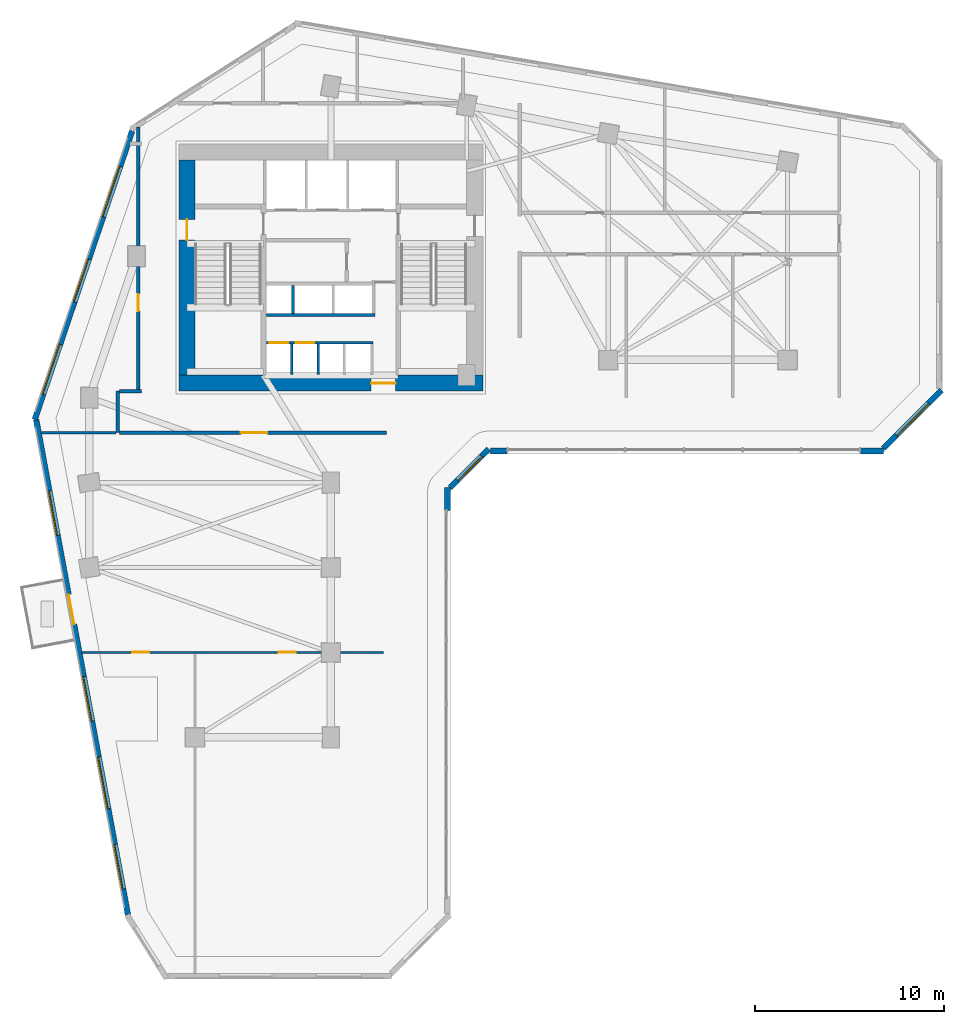
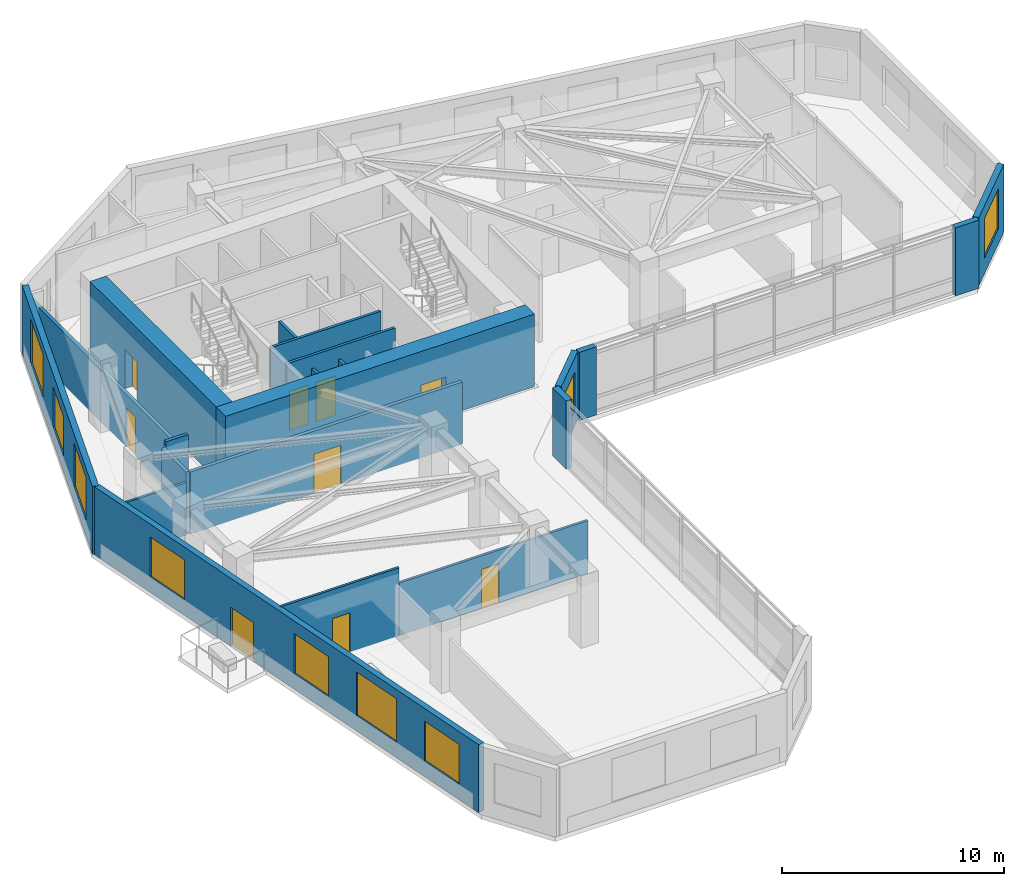
# One storey, part 5 of 9: 21 walls, 9 doors, 9 windows, 18 openings.
"""IFC4 building model written with IfcOpenShell, lengths in metres."""

from ifc_helpers import new_model, si_unit, direction, frame, frame_2d, origin, place, context, subcontext, project, spatial, rectangle, extrude, source, transform, mapped, material, layer, layer_set, type_object, element, fill, save


model = new_model("IFC4")

# Units and contexts
model_context = context("Model", 3, precision=1e-05, world=origin(), true_north=direction((0.0, 1.0)))
body_context = subcontext(model_context, "Body", "Model", "MODEL_VIEW")
ifc_project = project(units=[si_unit("LENGTHUNIT", "METRE"), si_unit("AREAUNIT", "SQUARE_METRE"), si_unit("VOLUMEUNIT", "CUBIC_METRE"), si_unit("PLANEANGLEUNIT", "RADIAN"), si_unit("MASSUNIT", "GRAM", prefix="KILO")], contexts=[model_context])

# Site, building, storey
site_placement = place(None, origin())
site = spatial("IfcSite", under=ifc_project, at=site_placement, CompositionType="ELEMENT")
building_placement = place(site_placement, origin())
building = spatial("IfcBuilding", under=site, at=building_placement, Name="Calvemar Wedge Station Tower", CompositionType="ELEMENT")
storey_placement = place(building_placement, frame((0.0, 0.0, 67.0)))
storey = spatial("IfcBuildingStorey", under=building, at=storey_placement, Name="L16", CompositionType="ELEMENT", Elevation=67.0)

# Wall, opening, door
ifc_material_1 = material(Name="Concrete C80", Category="concrete")
ifc_layer_1 = layer(ifc_material_1, 0.85009765625)
ifc_layer_set_1 = layer_set([ifc_layer_1], Name="Concrete C80")
wall_type_1 = type_object("IfcWallType", Name="SW-CORE-850", PredefinedType="SHEAR", material=ifc_layer_set_1)
wall_1_placement = place(storey_placement, frame((15.75, 33.77490234375, 0.0), z_axis=(0.0, 0.0, 1.0), x_axis=(1.0, 0.0, 0.0)))
wall_1 = element("IfcWall", 1, at=wall_1_placement, inside=storey, type_object=wall_type_1, Name="Storey L16 Core Shear Wall S", PredefinedType="SHEAR", context=body_context, shape_type="SweptSolid", body=[
    extrude(rectangle(XDim=16.10009765625, YDim=0.85009765625, at=frame_2d((8.050048828125, 0.0))), origin(), (0.0, 0.0, 1.0), 4.0),
])
shared_shape_1 = source(origin(), body_context, "Body", "SweptSolid", [
    extrude(rectangle(XDim=1.300048828125, YDim=2.14990234375, at=frame_2d((0.64990234375, 1.074951171875))), frame((0.0, 0.43505859375, 0.0), z_axis=(0.0, -1.0, 0.0), x_axis=(1.0, 0.0, 0.0)), (0.0, 0.0, 1.0), 0.8701171875),
])
opening_1_placement = place(wall_1_placement, frame((10.179931640625, 0.0, 0.0)))
opening_1 = element("IfcOpeningElement", 2, at=opening_1_placement, cuts=wall_1, Name="Opening DD-130", PredefinedType="OPENING", context=body_context, shape_type="MappedRepresentation", body=[
    mapped(shared_shape_1, transform((0.0, 0.0, 0.0), scale=1.0)),
])
ifc_material_2 = material(Name="Double-leaf lift lobby fire door EI 60")
door_type_1 = type_object("IfcDoorType", Name="DR-DBL-1300", OperationType="DOUBLE_DOOR_SINGLE_SWING", PredefinedType="DOOR", material=ifc_material_2)
shared_shape_2 = source(origin(), body_context, "Body", "SweptSolid", [
    extrude(rectangle(XDim=1.300048828125, YDim=2.14990234375, at=frame_2d((0.64990234375, 1.074951171875))), frame((0.0, 0.02490234375, 0.0), z_axis=(0.0, -1.0, 0.0), x_axis=(1.0, 0.0, 0.0)), (0.0, 0.0, 1.0), 0.050048828125),
])
door_1_placement = place(opening_1_placement, origin())
door_1 = element("IfcDoor", 3, at=door_1_placement, inside=storey, type_object=door_type_1, Name="L16 Passenger Lift Lobby Door", OperationType="DOUBLE_DOOR_SINGLE_SWING", OverallHeight=2.14990234375, OverallWidth=1.300048828125, PredefinedType="DOOR", context=body_context, shape_type="MappedRepresentation", body=[
    mapped(shared_shape_2, transform((0.0, 0.0, 0.0), scale=1.0)),
])
fill(opening_1, door_1)

wall_2_placement = place(storey_placement, frame((16.175048828125, 34.199951171875, 0.0), z_axis=(0.0, 0.0, 1.0), x_axis=(0.0, 1.0, 0.0)))
wall_2 = element("IfcWall", 4, at=wall_2_placement, inside=storey, type_object=wall_type_1, Name="Storey L16 Core Shear Wall W", PredefinedType="SHEAR", context=body_context, shape_type="SweptSolid", body=[
    extrude(rectangle(XDim=11.400146484375, YDim=0.85009765625, at=frame_2d((5.7001953125, 0.0))), origin(), (0.0, 0.0, 1.0), 4.0),
])
shared_shape_3 = source(origin(), body_context, "Body", "SweptSolid", [
    extrude(rectangle(XDim=1.10009765625, YDim=2.14990234375, at=frame_2d((0.550048828125, 1.074951171875))), frame((0.0, 0.43505859375, 0.0), z_axis=(0.0, -1.0, 0.0), x_axis=(1.0, 0.0, 0.0)), (0.0, 0.0, 1.0), 0.8701171875),
])
opening_2_placement = place(wall_2_placement, frame((7.14990234375, 0.0, 0.0)))
opening_2 = element("IfcOpeningElement", 5, at=opening_2_placement, cuts=wall_2, Name="Opening FD-90", PredefinedType="OPENING", context=body_context, shape_type="MappedRepresentation", body=[
    mapped(shared_shape_3, transform((0.0, 0.0, 0.0), scale=1.0)),
])
ifc_material_3 = material(Name="Galvanized fire-rated steel door leaf P-90", Category="steel")
door_type_2 = type_object("IfcDoorType", Name="DR-FD90-1100", OperationType="NOTDEFINED", PredefinedType="DOOR", material=ifc_material_3)
shared_shape_4 = source(origin(), body_context, "Body", "SweptSolid", [
    extrude(rectangle(XDim=1.10009765625, YDim=2.14990234375, at=frame_2d((0.550048828125, 1.074951171875))), frame((0.0, 0.02490234375, 0.0), z_axis=(0.0, -1.0, 0.0), x_axis=(1.0, 0.0, 0.0)), (0.0, 0.0, 1.0), 0.050048828125),
])
door_2_placement = place(opening_2_placement, origin())
door_2 = element("IfcDoor", 6, at=door_2_placement, inside=storey, type_object=door_type_2, Name="L16 West Corridor to Exit Stair ST-C1 Door", OperationType="SINGLE_SWING_LEFT", OverallHeight=2.14990234375, OverallWidth=1.10009765625, PredefinedType="DOOR", context=body_context, shape_type="MappedRepresentation", body=[
    mapped(shared_shape_4, transform((0.0, 0.0, 0.0), scale=1.0)),
])
fill(opening_2, door_2)

# Walls
ifc_material_4 = material(Name="Double-stud fire-rated corridor partition")
ifc_layer_2 = layer(ifc_material_4, 0.179931640625)
ifc_layer_set_2 = layer_set([ifc_layer_2], Name="Double-stud fire-rated corridor partition")
wall_type_2 = type_object("IfcWallType", Name="W-CORR-180", PredefinedType="PARTITIONING", material=ifc_layer_set_2)
wall_3_placement = place(storey_placement, frame((12.5, 31.14990234375, 0.0), z_axis=(0.0, 0.0, 1.0), x_axis=(0.0, 1.0, 0.0)))
element("IfcWall", 7, at=wall_3_placement, inside=storey, type_object=wall_type_2, Name="Storey L16 Interior Partition WL-L16-004", PredefinedType="PARTITIONING", context=body_context, shape_type="SweptSolid", body=[
    extrude(rectangle(XDim=2.2001953125, YDim=0.179931640625, at=frame_2d((1.10009765625, 0.0))), origin(), (0.0, 0.0, 1.0), 3.4189453125),
])
wall_4_placement = place(storey_placement, frame((12.593994140625, 33.35009765625, 0.0), z_axis=(0.0, 0.0, 1.0), x_axis=(1.0, 0.0, 0.0)))
element("IfcWall", 8, at=wall_4_placement, inside=storey, type_object=wall_type_2, Name="Storey L16 Interior Partition WL-L16-005", PredefinedType="PARTITIONING", context=body_context, shape_type="SweptSolid", body=[
    extrude(rectangle(XDim=1.166015625, YDim=0.179931640625, at=frame_2d((0.5830078125, 0.0))), origin(), (0.0, 0.0, 1.0), 3.75),
])

# Wall, opening, door
wall_5_placement = place(storey_placement, frame((26.760009765625, 31.14990234375, 0.0), z_axis=(0.0, 0.0, 1.0), x_axis=(-1.0, 0.0, 0.0)))
wall_5 = element("IfcWall", 9, at=wall_5_placement, inside=storey, type_object=wall_type_2, Name="Storey L16 Interior Partition WL-L16-006", PredefinedType="PARTITIONING", context=body_context, shape_type="SweptSolid", body=[
    extrude(rectangle(XDim=14.166015625, YDim=0.179931640625, at=frame_2d((7.0830078125, 0.0))), origin(), (0.0, 0.0, 1.0), 3.4189453125),
])
shared_shape_5 = source(origin(), body_context, "Body", "SweptSolid", [
    extrude(rectangle(XDim=1.39990234375, YDim=2.14990234375, at=frame_2d((0.699951171875, 1.074951171875))), frame((0.0, 0.10009765625, 0.0), z_axis=(0.0, -1.0, 0.0), x_axis=(1.0, 0.0, 0.0)), (0.0, 0.0, 1.0), 0.199951171875),
])
opening_3_placement = place(wall_5_placement, frame((6.322509765625, 0.0, 0.0)))
opening_3 = element("IfcOpeningElement", 10, at=opening_3_placement, cuts=wall_5, Name="Opening DD-140", PredefinedType="OPENING", context=body_context, shape_type="MappedRepresentation", body=[
    mapped(shared_shape_5, transform((0.0, 0.0, 0.0), scale=1.0)),
])
ifc_material_5 = material(Name="Double-leaf corridor acoustic fire door EI 60")
door_type_3 = type_object("IfcDoorType", Name="DR-DBL-1400", OperationType="DOUBLE_DOOR_SINGLE_SWING", PredefinedType="DOOR", material=ifc_material_5)
shared_shape_6 = source(origin(), body_context, "Body", "SweptSolid", [
    extrude(rectangle(XDim=1.39990234375, YDim=2.14990234375, at=frame_2d((0.699951171875, 1.074951171875))), frame((0.0, 0.02490234375, 0.0), z_axis=(0.0, -1.0, 0.0), x_axis=(1.0, 0.0, 0.0)), (0.0, 0.0, 1.0), 0.050048828125),
])
door_3_placement = place(opening_3_placement, origin())
door_3 = element("IfcDoor", 11, at=door_3_placement, inside=storey, type_object=door_type_3, Name="L16 Co-Working Studio Door", OperationType="SINGLE_SWING_LEFT", OverallHeight=2.14990234375, OverallWidth=1.39990234375, PredefinedType="DOOR", context=body_context, shape_type="MappedRepresentation", body=[
    mapped(shared_shape_6, transform((0.0, 0.0, 0.0), scale=1.0)),
])
fill(opening_3, door_3)

wall_6_placement = place(storey_placement, frame((13.60009765625, 33.444091796875, 0.0), z_axis=(0.0, 0.0, 1.0), x_axis=(0.0, 1.0, 0.0)))
wall_6 = element("IfcWall", 12, at=wall_6_placement, inside=storey, type_object=wall_type_2, Name="Storey L16 Interior Partition WL-L16-007", PredefinedType="PARTITIONING", context=body_context, shape_type="SweptSolid", body=[
    extrude(rectangle(XDim=13.896240234375, YDim=0.179931640625, at=frame_2d((6.9482421875, 0.0))), origin(), (0.0, 0.0, 1.0), 2.89208984375),
])
shared_shape_7 = source(origin(), body_context, "Body", "SweptSolid", [
    extrude(rectangle(XDim=0.89990234375, YDim=2.14990234375, at=frame_2d((0.449951171875, 1.074951171875))), frame((0.0, 0.10009765625, 0.0), z_axis=(0.0, -1.0, 0.0), x_axis=(1.0, 0.0, 0.0)), (0.0, 0.0, 1.0), 0.199951171875),
])
opening_4_placement = place(wall_6_placement, frame((4.143798828125, 0.0, 0.0)))
opening_4 = element("IfcOpeningElement", 13, at=opening_4_placement, cuts=wall_6, Name="Opening D-01", PredefinedType="OPENING", context=body_context, shape_type="MappedRepresentation", body=[
    mapped(shared_shape_7, transform((0.0, 0.0, 0.0), scale=1.0)),
])
ifc_material_6 = material(Name="Architectural hardwood acoustic swing door", Category="wood")
door_type_4 = type_object("IfcDoorType", Name="DR-INT-900", OperationType="NOTDEFINED", PredefinedType="DOOR", material=ifc_material_6)
shared_shape_8 = source(origin(), body_context, "Body", "SweptSolid", [
    extrude(rectangle(XDim=0.89990234375, YDim=2.14990234375, at=frame_2d((0.449951171875, 1.074951171875))), frame((0.0, 0.02490234375, 0.0), z_axis=(0.0, -1.0, 0.0), x_axis=(1.0, 0.0, 0.0)), (0.0, 0.0, 1.0), 0.050048828125),
])
door_4_placement = place(opening_4_placement, origin())
door_4 = element("IfcDoor", 14, at=door_4_placement, inside=storey, type_object=door_type_4, Name="L16 Co-Working Studio Door", OperationType="SINGLE_SWING_LEFT", OverallHeight=2.14990234375, OverallWidth=0.89990234375, PredefinedType="DOOR", context=body_context, shape_type="MappedRepresentation", body=[
    mapped(shared_shape_8, transform((0.0, 0.0, 0.0), scale=1.0)),
])
fill(opening_4, door_4)

# Wall
ifc_material_7 = material(Name="Precast concrete C45", Category="concrete")
ifc_layer_3 = layer(ifc_material_7, 0.300048828125)
ifc_layer_set_3 = layer_set([ifc_layer_3], Name="Precast concrete C45")
wall_type_3 = type_object("IfcWallType", Name="W-EXT-GFRC-300", PredefinedType="SOLIDWALL", material=ifc_layer_set_3)
wall_7_placement = place(storey_placement, frame((29.97802734375, 27.01513671875, 0.0), z_axis=(0.0, 0.0, 1.0), x_axis=(0.0, 1.0, 0.0)))
element("IfcWall", 15, at=wall_7_placement, inside=storey, type_object=wall_type_3, Name="Storey L16 Bronze GFRC Corner Pier 4B", PredefinedType="SOLIDWALL", context=body_context, shape_type="SweptSolid", body=[
    extrude(rectangle(XDim=1.224853515625, YDim=0.300048828125, at=frame_2d((0.6123046875, 0.0))), origin(), (0.0, 0.0, 1.0), 3.75),
])

# Wall, opening, window
wall_8_placement = place(storey_placement, frame((30.115966796875, 28.22802734375, 0.0), z_axis=(0.0, 0.0, 1.0), x_axis=(0.707064797706, 0.707148762175, 0.0)))
wall_8 = element("IfcWall", 16, at=wall_8_placement, inside=storey, type_object=wall_type_3, Name="Storey L16 Bronze GFRC Exterior Wall 5", PredefinedType="SOLIDWALL", context=body_context, shape_type="SweptSolid", body=[
    extrude(rectangle(XDim=2.90771484375, YDim=0.300048828125, at=frame_2d((1.453857421875, 0.0))), origin(), (0.0, 0.0, 1.0), 3.75),
])
shared_shape_9 = source(origin(), body_context, "Body", "SweptSolid", [
    extrude(rectangle(XDim=1.800048828125, YDim=2.10009765625, at=frame_2d((0.89990234375, 1.050048828125))), frame((0.0, 0.16015625, 0.0), z_axis=(0.0, -1.0, 0.0), x_axis=(1.0, 0.0, 0.0)), (0.0, 0.0, 1.0), 0.320068359375),
])
opening_5_placement = place(wall_8_placement, frame((0.553955078125, 0.0, 0.85009765625)))
opening_5 = element("IfcOpeningElement", 17, at=opening_5_placement, cuts=wall_8, Name="Opening W2", PredefinedType="OPENING", context=body_context, shape_type="MappedRepresentation", body=[
    mapped(shared_shape_9, transform((0.0, 0.0, 0.0), scale=1.0)),
])
ifc_material_8 = material(Name="Low-E laminated insulated glass", Category="glass")
window_type_1 = type_object("IfcWindowType", Name="WIN-EXT-2", PartitioningType="SINGLE_PANEL", PredefinedType="WINDOW", material=ifc_material_8)
shared_shape_10 = source(origin(), body_context, "Body", "SweptSolid", [
    extrude(rectangle(XDim=1.800048828125, YDim=2.10009765625, at=frame_2d((0.89990234375, 1.050048828125))), frame((0.0, -0.014892578125, 0.0), z_axis=(0.0, -1.0, 0.0), x_axis=(1.0, 0.0, 0.0)), (0.0, 0.0, 1.0), 0.06005859375),
])
window_1_placement = place(opening_5_placement, origin())
window_1 = element("IfcWindow", 18, at=window_1_placement, inside=storey, type_object=window_type_1, Name="Storey L16 Recessed Window 5.1", OverallHeight=2.10009765625, OverallWidth=1.800048828125, PartitioningType="SINGLE_PANEL", PredefinedType="WINDOW", context=body_context, shape_type="MappedRepresentation", body=[
    mapped(shared_shape_10, transform((0.0, 0.0, 0.0), scale=1.0)),
])
fill(opening_5, window_1)

# Walls
wall_9_placement = place(storey_placement, frame((32.260986328125, 30.177978515625, 0.0), z_axis=(0.0, 0.0, 1.0), x_axis=(1.0, 0.0, 0.0)))
element("IfcWall", 19, at=wall_9_placement, inside=storey, type_object=wall_type_3, Name="Storey L16 Bronze GFRC Corner Pier 6A", PredefinedType="SOLIDWALL", context=body_context, shape_type="SweptSolid", body=[
    extrude(rectangle(XDim=0.8798828125, YDim=0.300048828125, at=frame_2d((0.43994140625, 0.0))), origin(), (0.0, 0.0, 1.0), 3.75),
])
wall_10_placement = place(storey_placement, frame((51.86279296875, 30.177978515625, 0.0), z_axis=(0.0, 0.0, 1.0), x_axis=(1.0, 0.0, 0.0)))
element("IfcWall", 20, at=wall_10_placement, inside=storey, type_object=wall_type_3, Name="Storey L16 Bronze GFRC Corner Pier 6B", PredefinedType="SOLIDWALL", context=body_context, shape_type="SweptSolid", body=[
    extrude(rectangle(XDim=1.22509765625, YDim=0.300048828125, at=frame_2d((0.612548828125, 0.0))), origin(), (0.0, 0.0, 1.0), 3.75),
])

# Wall, opening, window
wall_11_placement = place(storey_placement, frame((53.075927734375, 30.31591796875, 0.0), z_axis=(0.0, 0.0, 1.0), x_axis=(0.707078757535, 0.707134803727, 0.0)))
wall_11 = element("IfcWall", 21, at=wall_11_placement, inside=storey, type_object=wall_type_3, Name="Storey L16 Bronze GFRC Exterior Wall 7", PredefinedType="SOLIDWALL", context=body_context, shape_type="SweptSolid", body=[
    extrude(rectangle(XDim=4.35595703125, YDim=0.300048828125, at=frame_2d((2.177978515625, 0.0))), origin(), (0.0, 0.0, 1.0), 3.75),
])
shared_shape_11 = source(origin(), body_context, "Body", "SweptSolid", [
    extrude(rectangle(XDim=2.39990234375, YDim=2.199951171875, at=frame_2d((1.199951171875, 1.10009765625))), frame((0.0, 0.16015625, 0.0), z_axis=(0.0, -1.0, 0.0), x_axis=(1.0, 0.0, 0.0)), (0.0, 0.0, 1.0), 0.320068359375),
])
opening_6_placement = place(wall_11_placement, frame((0.97802734375, 0.0, 0.85009765625)))
opening_6 = element("IfcOpeningElement", 22, at=opening_6_placement, cuts=wall_11, Name="Opening W1", PredefinedType="OPENING", context=body_context, shape_type="MappedRepresentation", body=[
    mapped(shared_shape_11, transform((0.0, 0.0, 0.0), scale=1.0)),
])
window_type_2 = type_object("IfcWindowType", Name="WIN-EXT-1", PartitioningType="SINGLE_PANEL", PredefinedType="WINDOW", material=ifc_material_8)
shared_shape_12 = source(origin(), body_context, "Body", "SweptSolid", [
    extrude(rectangle(XDim=2.39990234375, YDim=2.199951171875, at=frame_2d((1.199951171875, 1.10009765625))), frame((0.0, -0.014892578125, 0.0), z_axis=(0.0, -1.0, 0.0), x_axis=(1.0, 0.0, 0.0)), (0.0, 0.0, 1.0), 0.06005859375),
])
window_2_placement = place(opening_6_placement, origin())
window_2 = element("IfcWindow", 23, at=window_2_placement, inside=storey, type_object=window_type_2, Name="Storey L16 Recessed Window 7.1", OverallHeight=2.199951171875, OverallWidth=2.39990234375, PartitioningType="SINGLE_PANEL", PredefinedType="WINDOW", context=body_context, shape_type="MappedRepresentation", body=[
    mapped(shared_shape_12, transform((0.0, 0.0, 0.0), scale=1.0)),
])
fill(opening_6, window_2)

# Wall, openings, windows
wall_12_placement = place(storey_placement, frame((13.2685546875, 47.1337890625, 0.0), z_axis=(0.0, 0.0, 1.0), x_axis=(-0.319920423265, -0.947444416722, 0.0)))
wall_12 = element("IfcWall", 24, at=wall_12_placement, inside=storey, type_object=wall_type_3, Name="Storey L16 Bronze GFRC Exterior Wall 12", PredefinedType="SOLIDWALL", context=body_context, shape_type="SweptSolid", body=[
    extrude(rectangle(XDim=16.134765625, YDim=0.300048828125, at=frame_2d((8.0673828125, 0.0))), origin(), (0.0, 0.0, 1.0), 3.75),
])
shared_shape_13 = source(origin(), body_context, "Body", "SweptSolid", [
    extrude(rectangle(XDim=2.800048828125, YDim=2.39990234375, at=frame_2d((1.39990234375, 1.199951171875))), frame((0.0, 0.16015625, 0.0), z_axis=(0.0, -1.0, 0.0), x_axis=(1.0, 0.0, 0.0)), (0.0, 0.0, 1.0), 0.320068359375),
])
opening_7_placement = place(wall_12_placement, frame((1.988037109375, 0.0, 0.85009765625)))
opening_7 = element("IfcOpeningElement", 25, at=opening_7_placement, cuts=wall_12, Name="Opening W6", PredefinedType="OPENING", context=body_context, shape_type="MappedRepresentation", body=[
    mapped(shared_shape_13, transform((0.0, 0.0, 0.0), scale=1.0)),
])
opening_8_placement = place(wall_12_placement, frame((7.158935546875, 0.0, 0.85009765625)))
opening_8 = element("IfcOpeningElement", 26, at=opening_8_placement, cuts=wall_12, Name="Opening W1", PredefinedType="OPENING", context=body_context, shape_type="MappedRepresentation", body=[
    mapped(shared_shape_11, transform((0.0, 0.0, 0.0), scale=1.0)),
])
opening_9_placement = place(wall_12_placement, frame((11.929931640625, 0.0, 0.85009765625)))
opening_9 = element("IfcOpeningElement", 27, at=opening_9_placement, cuts=wall_12, Name="Opening W6", PredefinedType="OPENING", context=body_context, shape_type="MappedRepresentation", body=[
    mapped(shared_shape_13, transform((0.0, 0.0, 0.0), scale=1.0)),
])
window_type_3 = type_object("IfcWindowType", Name="WIN-EXT-6", PartitioningType="SINGLE_PANEL", PredefinedType="WINDOW", material=ifc_material_8)
shared_shape_14 = source(origin(), body_context, "Body", "SweptSolid", [
    extrude(rectangle(XDim=2.800048828125, YDim=2.39990234375, at=frame_2d((1.39990234375, 1.199951171875))), frame((0.0, -0.014892578125, 0.0), z_axis=(0.0, -1.0, 0.0), x_axis=(1.0, 0.0, 0.0)), (0.0, 0.0, 1.0), 0.06005859375),
])
window_3_placement = place(opening_7_placement, origin())
window_3 = element("IfcWindow", 28, at=window_3_placement, inside=storey, type_object=window_type_3, Name="Storey L16 Recessed Window 12.1", OverallHeight=2.39990234375, OverallWidth=2.800048828125, PartitioningType="SINGLE_PANEL", PredefinedType="WINDOW", context=body_context, shape_type="MappedRepresentation", body=[
    mapped(shared_shape_14, transform((0.0, 0.0, 0.0), scale=1.0)),
])
fill(opening_7, window_3)
window_4_placement = place(opening_9_placement, origin())
window_4 = element("IfcWindow", 29, at=window_4_placement, inside=storey, type_object=window_type_3, Name="Storey L16 Recessed Window 12.3", OverallHeight=2.39990234375, OverallWidth=2.800048828125, PartitioningType="SINGLE_PANEL", PredefinedType="WINDOW", context=body_context, shape_type="MappedRepresentation", body=[
    mapped(shared_shape_14, transform((0.0, 0.0, 0.0), scale=1.0)),
])
fill(opening_9, window_4)
window_5_placement = place(opening_8_placement, origin())
window_5 = element("IfcWindow", 30, at=window_5_placement, inside=storey, type_object=window_type_2, Name="Storey L16 Recessed Window 12.2", OverallHeight=2.199951171875, OverallWidth=2.39990234375, PartitioningType="SINGLE_PANEL", PredefinedType="WINDOW", context=body_context, shape_type="MappedRepresentation", body=[
    mapped(shared_shape_12, transform((0.0, 0.0, 0.0), scale=1.0)),
])
fill(opening_8, window_5)

# Wall, openings, windows, door
wall_13_placement = place(storey_placement, frame((8.183349609375, 31.83349609375, 0.0), z_axis=(0.0, 0.0, 1.0), x_axis=(0.18216364648, -0.983268226834, 0.0)))
wall_13 = element("IfcWall", 31, at=wall_13_placement, inside=storey, type_object=wall_type_3, Name="Storey L16 Bronze GFRC Exterior Wall 13", PredefinedType="SOLIDWALL", context=body_context, shape_type="SweptSolid", body=[
    extrude(rectangle(XDim=26.678466796875, YDim=0.300048828125, at=frame_2d((13.33935546875, 0.0))), origin(), (0.0, 0.0, 1.0), 3.75),
])
shared_shape_15 = source(origin(), body_context, "Body", "SweptSolid", [
    extrude(rectangle(XDim=1.60009765625, YDim=2.14990234375, at=frame_2d((0.800048828125, 1.074951171875))), frame((0.0, 0.16015625, 0.0), z_axis=(0.0, -1.0, 0.0), x_axis=(1.0, 0.0, 0.0)), (0.0, 0.0, 1.0), 0.320068359375),
])
opening_10_placement = place(wall_13_placement, frame((9.427001953125, 0.0, 0.0)))
opening_10 = element("IfcOpeningElement", 32, at=opening_10_placement, cuts=wall_13, Name="Opening DT1", PredefinedType="OPENING", context=body_context, shape_type="MappedRepresentation", body=[
    mapped(shared_shape_15, transform((0.0, 0.0, 0.0), scale=1.0)),
])
opening_11_placement = place(wall_13_placement, frame((3.842041015625, 0.0, 0.85009765625)))
opening_11 = element("IfcOpeningElement", 33, at=opening_11_placement, cuts=wall_13, Name="Opening W1", PredefinedType="OPENING", context=body_context, shape_type="MappedRepresentation", body=[
    mapped(shared_shape_11, transform((0.0, 0.0, 0.0), scale=1.0)),
])
opening_12_placement = place(wall_13_placement, frame((13.846923828125, 0.0, 0.85009765625)))
opening_12 = element("IfcOpeningElement", 34, at=opening_12_placement, cuts=wall_13, Name="Opening W1", PredefinedType="OPENING", context=body_context, shape_type="MappedRepresentation", body=[
    mapped(shared_shape_11, transform((0.0, 0.0, 0.0), scale=1.0)),
])
opening_13_placement = place(wall_13_placement, frame((18.172119140625, 0.0, 0.85009765625)))
opening_13 = element("IfcOpeningElement", 35, at=opening_13_placement, cuts=wall_13, Name="Opening W6", PredefinedType="OPENING", context=body_context, shape_type="MappedRepresentation", body=[
    mapped(shared_shape_13, transform((0.0, 0.0, 0.0), scale=1.0)),
])
opening_14_placement = place(wall_13_placement, frame((22.89599609375, 0.0, 0.85009765625)))
opening_14 = element("IfcOpeningElement", 36, at=opening_14_placement, cuts=wall_13, Name="Opening W1", PredefinedType="OPENING", context=body_context, shape_type="MappedRepresentation", body=[
    mapped(shared_shape_11, transform((0.0, 0.0, 0.0), scale=1.0)),
])
window_6_placement = place(opening_13_placement, origin())
window_6 = element("IfcWindow", 37, at=window_6_placement, inside=storey, type_object=window_type_3, Name="Storey L16 Recessed Window 13.3", OverallHeight=2.39990234375, OverallWidth=2.800048828125, PartitioningType="SINGLE_PANEL", PredefinedType="WINDOW", context=body_context, shape_type="MappedRepresentation", body=[
    mapped(shared_shape_14, transform((0.0, 0.0, 0.0), scale=1.0)),
])
fill(opening_13, window_6)
window_7_placement = place(opening_11_placement, origin())
window_7 = element("IfcWindow", 38, at=window_7_placement, inside=storey, type_object=window_type_2, Name="Storey L16 Recessed Window 13.1", OverallHeight=2.199951171875, OverallWidth=2.39990234375, PartitioningType="SINGLE_PANEL", PredefinedType="WINDOW", context=body_context, shape_type="MappedRepresentation", body=[
    mapped(shared_shape_12, transform((0.0, 0.0, 0.0), scale=1.0)),
])
fill(opening_11, window_7)
window_8_placement = place(opening_12_placement, origin())
window_8 = element("IfcWindow", 39, at=window_8_placement, inside=storey, type_object=window_type_2, Name="Storey L16 Recessed Window 13.2", OverallHeight=2.199951171875, OverallWidth=2.39990234375, PartitioningType="SINGLE_PANEL", PredefinedType="WINDOW", context=body_context, shape_type="MappedRepresentation", body=[
    mapped(shared_shape_12, transform((0.0, 0.0, 0.0), scale=1.0)),
])
fill(opening_12, window_8)
window_9_placement = place(opening_14_placement, origin())
window_9 = element("IfcWindow", 40, at=window_9_placement, inside=storey, type_object=window_type_2, Name="Storey L16 Recessed Window 13.4", OverallHeight=2.199951171875, OverallWidth=2.39990234375, PartitioningType="SINGLE_PANEL", PredefinedType="WINDOW", context=body_context, shape_type="MappedRepresentation", body=[
    mapped(shared_shape_12, transform((0.0, 0.0, 0.0), scale=1.0)),
])
fill(opening_14, window_9)
ifc_material_9 = material(Name="Anodised aluminium 6063-T6", Category="aluminium")
door_type_5 = type_object("IfcDoorType", Name="DR-TERR-1600", OperationType="DOUBLE_DOOR_SLIDING", PredefinedType="DOOR", material=ifc_material_9)
shared_shape_16 = source(origin(), body_context, "Body", "SweptSolid", [
    extrude(rectangle(XDim=1.60009765625, YDim=2.14990234375, at=frame_2d((0.800048828125, 1.074951171875))), frame((0.0, 0.02490234375, 0.0), z_axis=(0.0, -1.0, 0.0), x_axis=(1.0, 0.0, 0.0)), (0.0, 0.0, 1.0), 0.050048828125),
])
door_5_placement = place(opening_10_placement, origin())
door_5 = element("IfcDoor", 41, at=door_5_placement, inside=storey, type_object=door_type_5, Name="Storey L16 Spiral Terrace Door", OperationType="DOUBLE_DOOR_SLIDING", OverallHeight=2.14990234375, OverallWidth=1.60009765625, PredefinedType="DOOR", context=body_context, shape_type="MappedRepresentation", body=[
    mapped(shared_shape_16, transform((0.0, 0.0, 0.0), scale=1.0)),
])
fill(opening_10, door_5)

# Wall, openings, doors
ifc_material_10 = material(Name="Reinforced concrete blockwork lift shaft wall", Category="masonry")
ifc_layer_4 = layer(ifc_material_10, 0.139892578125)
ifc_layer_set_4 = layer_set([ifc_layer_4], Name="Reinforced concrete blockwork lift shaft wall")
wall_type_4 = type_object("IfcWallType", Name="W-LIFT-160", PredefinedType="SOLIDWALL", material=ifc_layer_set_4)
wall_14_placement = place(storey_placement, frame((20.3798828125, 35.919921875, 0.0), z_axis=(0.0, 0.0, 1.0), x_axis=(1.0, 0.0, 0.0)))
wall_14 = element("IfcWall", 42, at=wall_14_placement, inside=storey, type_object=wall_type_4, Name="Storey L16 South Passenger Lift Bank Front Wall", PredefinedType="SOLIDWALL", context=body_context, shape_type="SweptSolid", body=[
    extrude(rectangle(XDim=5.650146484375, YDim=0.139892578125, at=frame_2d((2.8251953125, 0.0))), origin(), (0.0, 0.0, 1.0), 3.75),
])
shared_shape_17 = source(origin(), body_context, "Body", "SweptSolid", [
    extrude(rectangle(XDim=1.0, YDim=2.14990234375, at=frame_2d((0.5, 1.074951171875))), frame((0.0, 0.080078125, 0.0), z_axis=(0.0, -1.0, 0.0), x_axis=(1.0, 0.0, 0.0)), (0.0, 0.0, 1.0), 0.159912109375),
])
opening_15_placement = place(wall_14_placement, frame((0.159912109375, 0.0, 0.0)))
opening_15 = element("IfcOpeningElement", 43, at=opening_15_placement, cuts=wall_14, Name="Opening LD-PAX", PredefinedType="OPENING", context=body_context, shape_type="MappedRepresentation", body=[
    mapped(shared_shape_17, transform((0.0, 0.0, 0.0), scale=1.0)),
])
opening_16_placement = place(wall_14_placement, frame((1.550048828125, 0.0, 0.0)))
opening_16 = element("IfcOpeningElement", 44, at=opening_16_placement, cuts=wall_14, Name="Opening LD-PAX", PredefinedType="OPENING", context=body_context, shape_type="MappedRepresentation", body=[
    mapped(shared_shape_17, transform((0.0, 0.0, 0.0), scale=1.0)),
])
ifc_material_11 = material(Name="Anodised bronze passenger lift sliding landing door")
door_type_6 = type_object("IfcDoorType", Name="DR-LD-PAX-1000", OperationType="SLIDING_TO_LEFT", PredefinedType="DOOR", material=ifc_material_11)
shared_shape_18 = source(origin(), body_context, "Body", "SweptSolid", [
    extrude(rectangle(XDim=1.0, YDim=2.14990234375, at=frame_2d((0.5, 1.074951171875))), frame((0.0, 0.02490234375, 0.0), z_axis=(0.0, -1.0, 0.0), x_axis=(1.0, 0.0, 0.0)), (0.0, 0.0, 1.0), 0.050048828125),
])
door_6_placement = place(opening_15_placement, origin())
door_6 = element("IfcDoor", 45, at=door_6_placement, inside=storey, type_object=door_type_6, Name="L16 Lift OL-01 Sliding Landing Door", OperationType="SLIDING_TO_LEFT", OverallHeight=2.14990234375, OverallWidth=1.0, PredefinedType="DOOR", context=body_context, shape_type="MappedRepresentation", body=[
    mapped(shared_shape_18, transform((0.0, 0.0, 0.0), scale=1.0)),
])
fill(opening_15, door_6)
door_7_placement = place(opening_16_placement, origin())
door_7 = element("IfcDoor", 46, at=door_7_placement, inside=storey, type_object=door_type_6, Name="L16 Lift OL-02 Sliding Landing Door", OperationType="SLIDING_TO_RIGHT", OverallHeight=2.14990234375, OverallWidth=1.0, PredefinedType="DOOR", context=body_context, shape_type="MappedRepresentation", body=[
    mapped(shared_shape_18, transform((0.0, 0.0, 0.0), scale=1.0)),
])
fill(opening_16, door_7)

# Walls
for number, where, z_axis, x_axis, name in (
    (47, (21.735107421875, 34.219970703125, 0.0), (0.0, 0.0, 1.0), (0.0, 1.0, 0.0), "Storey L16 South Passenger Lift Shaft Wall D1"),
    (48, (23.125, 34.219970703125, 0.0), (0.0, 0.0, 1.0), (0.0, 1.0, 0.0), "Storey L16 South Passenger Lift Shaft Wall D2"),
):
    element("IfcWall", number, at=place(storey_placement, frame(where, z_axis=z_axis, x_axis=x_axis)), inside=storey, type_object=wall_type_4, Name=name, PredefinedType="SOLIDWALL", context=body_context, shape_type="SweptSolid", body=[
        extrude(rectangle(XDim=1.6201171875, YDim=0.139892578125, at=frame_2d((0.81005859375, 0.0))), origin(), (0.0, 0.0, 1.0), 3.0419921875),
    ])
wall_15_placement = place(storey_placement, frame((20.3798828125, 37.3798828125, 0.0), z_axis=(0.0, 0.0, 1.0), x_axis=(1.0, 0.0, 0.0)))
element("IfcWall", 49, at=wall_15_placement, inside=storey, type_object=wall_type_4, Name="Storey L16 Upper Passenger Lift Bank Front Wall", PredefinedType="SOLIDWALL", context=body_context, shape_type="SweptSolid", body=[
    extrude(rectangle(XDim=5.75, YDim=0.139892578125, at=frame_2d((2.875, 0.0))), origin(), (0.0, 0.0, 1.0), 3.75),
])
wall_16_placement = place(storey_placement, frame((21.794921875, 37.4599609375, 0.0), z_axis=(0.0, 0.0, 1.0), x_axis=(0.0, 1.0, 0.0)))
element("IfcWall", 50, at=wall_16_placement, inside=storey, type_object=wall_type_4, Name="Storey L16 Upper Passenger Lift Shaft Wall D1", PredefinedType="SOLIDWALL", context=body_context, shape_type="SweptSolid", body=[
    extrude(rectangle(XDim=1.47998046875, YDim=0.139892578125, at=frame_2d((0.739990234375, 0.0))), origin(), (0.0, 0.0, 1.0), 3.75),
])
ifc_material_12 = material(Name="Insulated acoustic gypsum stud partition")
ifc_layer_5 = layer(ifc_material_12, 0.125)
ifc_layer_set_5 = layer_set([ifc_layer_5], Name="Insulated acoustic gypsum stud partition")
wall_type_5 = type_object("IfcWallType", Name="W-PART-125", PredefinedType="PARTITIONING", material=ifc_layer_set_5)
wall_17_placement = place(storey_placement, frame((12.406005859375, 31.14990234375, 0.0), z_axis=(0.0, 0.0, 1.0), x_axis=(-1.0, 0.0, 0.0)))
element("IfcWall", 51, at=wall_17_placement, inside=storey, type_object=wall_type_5, Name="Storey L16 Interior Partition WL-L16-015", PredefinedType="PARTITIONING", context=body_context, shape_type="SweptSolid", body=[
    extrude(rectangle(XDim=3.97900390625, YDim=0.125, at=frame_2d((1.989501953125, 0.0))), origin(), (0.0, 0.0, 1.0), 2.89208984375),
])

# Wall, opening, door
wall_18_placement = place(storey_placement, frame((16.760009765625, 19.5, 0.0), z_axis=(0.0, 0.0, 1.0), x_axis=(-1.0, 0.0, 0.0)))
wall_18 = element("IfcWall", 52, at=wall_18_placement, inside=storey, type_object=wall_type_5, Name="Storey L16 Interior Partition WL-L16-029", PredefinedType="PARTITIONING", context=body_context, shape_type="SweptSolid", body=[
    extrude(rectangle(XDim=6.1748046875, YDim=0.125, at=frame_2d((3.08740234375, 0.0))), origin(), (0.0, 0.0, 1.0), 3.75),
])
shared_shape_19 = source(origin(), body_context, "Body", "SweptSolid", [
    extrude(rectangle(XDim=0.89990234375, YDim=2.14990234375, at=frame_2d((0.449951171875, 1.074951171875))), frame((0.0, 0.072509765625, 0.0), z_axis=(0.0, -1.0, 0.0), x_axis=(1.0, 0.0, 0.0)), (0.0, 0.0, 1.0), 0.14501953125),
])
opening_17_placement = place(wall_18_placement, frame((2.576904296875, 0.0, 0.0)))
opening_17 = element("IfcOpeningElement", 53, at=opening_17_placement, cuts=wall_18, Name="Opening D-01", PredefinedType="OPENING", context=body_context, shape_type="MappedRepresentation", body=[
    mapped(shared_shape_19, transform((0.0, 0.0, 0.0), scale=1.0)),
])
door_8_placement = place(opening_17_placement, origin())
door_8 = element("IfcDoor", 54, at=door_8_placement, inside=storey, type_object=door_type_4, Name="L16 Conference Room Door", OperationType="SINGLE_SWING_RIGHT", OverallHeight=2.14990234375, OverallWidth=0.89990234375, PredefinedType="DOOR", context=body_context, shape_type="MappedRepresentation", body=[
    mapped(shared_shape_8, transform((0.0, 0.0, 0.0), scale=1.0)),
])
fill(opening_17, door_8)

wall_19_placement = place(storey_placement, frame((26.60009765625, 19.5, 0.0), z_axis=(0.0, 0.0, 1.0), x_axis=(-1.0, 0.0, 0.0)))
wall_19 = element("IfcWall", 55, at=wall_19_placement, inside=storey, type_object=wall_type_5, Name="Storey L16 Interior Partition WL-L16-030", PredefinedType="PARTITIONING", context=body_context, shape_type="SweptSolid", body=[
    extrude(rectangle(XDim=9.838134765625, YDim=0.125, at=frame_2d((4.9189453125, 0.0))), origin(), (0.0, 0.0, 1.0), 2.89208984375),
])
opening_18_placement = place(wall_19_placement, frame((4.651123046875, 0.0, 0.0)))
opening_18 = element("IfcOpeningElement", 56, at=opening_18_placement, cuts=wall_19, Name="Opening D-01", PredefinedType="OPENING", context=body_context, shape_type="MappedRepresentation", body=[
    mapped(shared_shape_19, transform((0.0, 0.0, 0.0), scale=1.0)),
])
door_9_placement = place(opening_18_placement, origin())
door_9 = element("IfcDoor", 57, at=door_9_placement, inside=storey, type_object=door_type_4, Name="L16 Business Lounge Door", OperationType="SINGLE_SWING_LEFT", OverallHeight=2.14990234375, OverallWidth=0.89990234375, PredefinedType="DOOR", context=body_context, shape_type="MappedRepresentation", body=[
    mapped(shared_shape_8, transform((0.0, 0.0, 0.0), scale=1.0)),
])
fill(opening_18, door_9)

save(model, "model.ifc")
